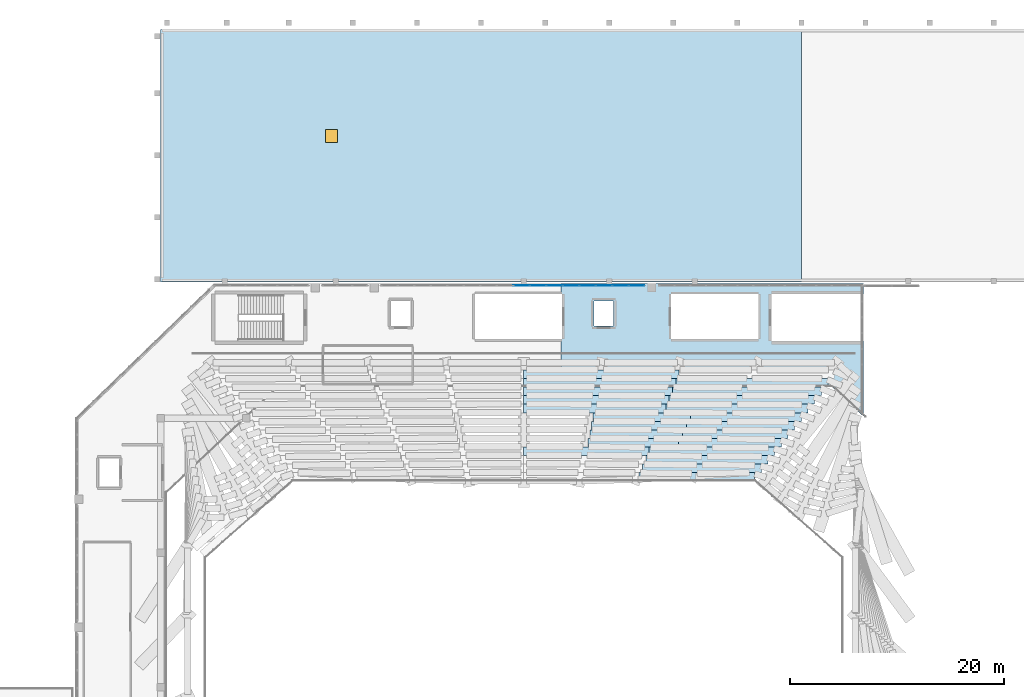
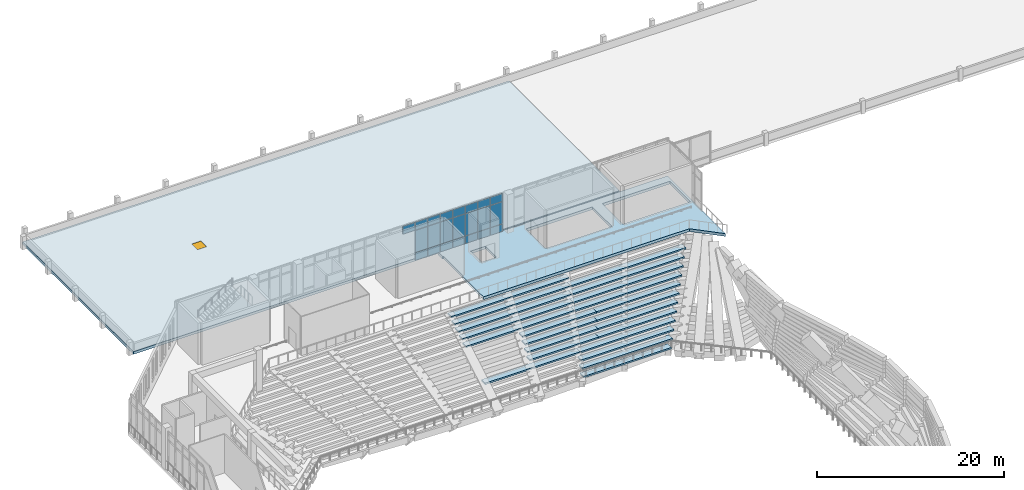
# One storey, part 39 of 55: 24 slabs, 22 plates, 1 door, 1 opening, 1 element without a shape of its own.
"""IFC4 building model written with IfcOpenShell, lengths in metres."""

from ifc_helpers import new_model, si_unit, derived_unit, direction, frame, origin, origin_2d, place, context, subcontext, project, spatial, polyline, rectangle, outline, extrude, material, layer, layer_set, type_object, element, fill, aggregate, save


model = new_model("IFC4")

# Units and contexts
model_context = context("Model", 3, precision=1e-05, world=origin(), true_north=direction((0.0, 1.0)))
body_context = subcontext(model_context, "Body", "Model", "MODEL_VIEW")
ifc_project = project(units=[si_unit("LENGTHUNIT", "METRE"), si_unit("AREAUNIT", "SQUARE_METRE"), si_unit("VOLUMEUNIT", "CUBIC_METRE"), si_unit("PLANEANGLEUNIT", "RADIAN"), si_unit("MASSUNIT", "GRAM", prefix="KILO"), derived_unit("THERMALTRANSMITTANCEUNIT", [(si_unit("MASSUNIT", "GRAM", prefix="KILO"), 1), (si_unit("TIMEUNIT", "SECOND"), -3), (si_unit("THERMODYNAMICTEMPERATUREUNIT", "KELVIN"), -1)])], contexts=[model_context])

# Site, building, storey
site_placement = place(None, origin())
site = spatial("IfcSite", under=ifc_project, at=site_placement, CompositionType="ELEMENT")
building_placement = place(site_placement, origin())
building = spatial("IfcBuilding", under=site, at=building_placement, Name="Valcora Ridge Arena", CompositionType="ELEMENT")
storey_placement = place(building_placement, frame((0.0, 0.0, 21.0)))
storey = spatial("IfcBuildingStorey", under=building, at=storey_placement, Name="L04", CompositionType="ELEMENT", Elevation=21.0)

# Curtain wall, plates
ifc_material_1 = material(Name="Anodised dark bronze architectural aluminium 6063-T6", Category="aluminium")
ifc_layer_1 = layer(ifc_material_1, 0.179931640625, Name="Anodised dark bronze architectural aluminium 6063-T6")
ifc_layer_set_1 = layer_set([ifc_layer_1], Name="Anodised dark bronze architectural aluminium 6063-T6")
curtain_wall_type = type_object("IfcCurtainWallType", Name="TY-CURTAINWALL-CW-V1-GOTH-247X51", PredefinedType="NOTDEFINED", material=ifc_layer_set_1)
curtain_wall_placement = place(storey_placement, origin())
curtain_wall = element("IfcCurtainWall", 1, at=curtain_wall_placement, inside=storey, type_object=curtain_wall_type, Name="CW-V1-GOTH-247X51 CW-0159", PredefinedType="NOTDEFINED")
ifc_material_2 = material(Name="Low-iron solar-control double glazing SHGC 0.28", Category="glass")
ifc_layer_2 = layer(ifc_material_2, 0.031982421875, Name="Low-iron solar-control double glazing SHGC 0.28")
ifc_layer_set_2 = layer_set([ifc_layer_2], Name="Low-iron solar-control double glazing SHGC 0.28")
plate_type_1 = type_object("IfcPlateType", Name="TY-PLT-CWP-1455X0960", PredefinedType="CURTAIN_PANEL", material=ifc_layer_set_2)
plate_1_placement = place(storey_placement, frame((68.572509765625, 108.0, 0.06005859375), z_axis=(0.0, 0.0, 1.0), x_axis=(1.0, 0.0, 0.0)))
plate_1 = element("IfcPlate", 2, at=plate_1_placement, type_object=plate_type_1, Name="CW-0159/P15-00", PredefinedType="CURTAIN_PANEL", context=body_context, shape_type="SweptSolid", body=[
    extrude(rectangle(XDim=1.455078125, YDim=0.031982421875, at=origin_2d()), origin(), (0.0, 0.0, 1.0), 0.9599609375),
])
ifc_layer_3 = layer(ifc_material_2, 0.031982421875, Name="Low-iron solar-control double glazing SHGC 0.28")
ifc_layer_set_3 = layer_set([ifc_layer_3], Name="Low-iron solar-control double glazing SHGC 0.28")
plate_type_2 = type_object("IfcPlateType", Name="TY-PLT-CWP-1455X1010", PredefinedType="CURTAIN_PANEL", material=ifc_layer_set_3)
plate_2_placement = place(storey_placement, frame((68.572509765625, 108.0, 3.990234375), z_axis=(0.0, 0.0, 1.0), x_axis=(1.0, 0.0, 0.0)))
plate_2 = element("IfcPlate", 3, at=plate_2_placement, type_object=plate_type_2, Name="CW-0159/P15-02", PredefinedType="CURTAIN_PANEL", context=body_context, shape_type="SweptSolid", body=[
    extrude(rectangle(XDim=1.455078125, YDim=0.031982421875, at=origin_2d()), origin(), (0.0, 0.0, 1.0), 1.010009765625),
])
ifc_layer_4 = layer(ifc_material_2, 0.031982421875, Name="Low-iron solar-control double glazing SHGC 0.28")
ifc_layer_set_4 = layer_set([ifc_layer_4], Name="Low-iron solar-control double glazing SHGC 0.28")
plate_type_3 = type_object("IfcPlateType", Name="TY-PLT-CWP-1455X2850", PredefinedType="CURTAIN_PANEL", material=ifc_layer_set_4)
plate_3_placement = place(storey_placement, frame((68.572509765625, 108.0, 1.079833984375), z_axis=(0.0, 0.0, 1.0), x_axis=(1.0, 0.0, 0.0)))
plate_3 = element("IfcPlate", 4, at=plate_3_placement, type_object=plate_type_3, Name="CW-0159/P15-01", PredefinedType="CURTAIN_PANEL", context=body_context, shape_type="SweptSolid", body=[
    extrude(rectangle(XDim=1.455078125, YDim=0.031982421875, at=origin_2d()), origin(), (0.0, 0.0, 1.0), 2.85009765625),
])
ifc_layer_5 = layer(ifc_material_2, 0.031982421875, Name="Low-iron solar-control double glazing SHGC 0.28")
ifc_layer_set_5 = layer_set([ifc_layer_5], Name="Low-iron solar-control double glazing SHGC 0.28")
plate_type_4 = type_object("IfcPlateType", Name="TY-PLT-CWP-1485X0960", PredefinedType="CURTAIN_PANEL", material=ifc_layer_set_5)
plate_4_placement = place(storey_placement, frame((59.3173828125, 108.0, 0.06005859375), z_axis=(0.0, 0.0, 1.0), x_axis=(1.0, 0.0, 0.0)))
plate_4 = element("IfcPlate", 5, at=plate_4_placement, type_object=plate_type_4, Name="CW-0159/P09-00", PredefinedType="CURTAIN_PANEL", context=body_context, shape_type="SweptSolid", body=[
    extrude(rectangle(XDim=1.485107421875, YDim=0.031982421875, at=origin_2d()), origin(), (0.0, 0.0, 1.0), 0.9599609375),
])
plate_5_placement = place(storey_placement, frame((60.862548828125, 108.0, 0.06005859375), z_axis=(0.0, 0.0, 1.0), x_axis=(1.0, 0.0, 0.0)))
plate_5 = element("IfcPlate", 6, at=plate_5_placement, type_object=plate_type_4, Name="CW-0159/P10-00", PredefinedType="CURTAIN_PANEL", context=body_context, shape_type="SweptSolid", body=[
    extrude(rectangle(XDim=1.485107421875, YDim=0.031982421875, at=origin_2d()), origin(), (0.0, 0.0, 1.0), 0.9599609375),
])
plate_6_placement = place(storey_placement, frame((62.407470703125, 108.0, 0.06005859375), z_axis=(0.0, 0.0, 1.0), x_axis=(1.0, 0.0, 0.0)))
plate_6 = element("IfcPlate", 7, at=plate_6_placement, type_object=plate_type_4, Name="CW-0159/P11-00", PredefinedType="CURTAIN_PANEL", context=body_context, shape_type="SweptSolid", body=[
    extrude(rectangle(XDim=1.485107421875, YDim=0.031982421875, at=origin_2d()), origin(), (0.0, 0.0, 1.0), 0.9599609375),
])
plate_7_placement = place(storey_placement, frame((63.952392578125, 108.0, 0.06005859375), z_axis=(0.0, 0.0, 1.0), x_axis=(1.0, 0.0, 0.0)))
plate_7 = element("IfcPlate", 8, at=plate_7_placement, type_object=plate_type_4, Name="CW-0159/P12-00", PredefinedType="CURTAIN_PANEL", context=body_context, shape_type="SweptSolid", body=[
    extrude(rectangle(XDim=1.485107421875, YDim=0.031982421875, at=origin_2d()), origin(), (0.0, 0.0, 1.0), 0.9599609375),
])
plate_8_placement = place(storey_placement, frame((65.49755859375, 108.0, 0.06005859375), z_axis=(0.0, 0.0, 1.0), x_axis=(1.0, 0.0, 0.0)))
plate_8 = element("IfcPlate", 9, at=plate_8_placement, type_object=plate_type_4, Name="CW-0159/P13-00", PredefinedType="CURTAIN_PANEL", context=body_context, shape_type="SweptSolid", body=[
    extrude(rectangle(XDim=1.485107421875, YDim=0.031982421875, at=origin_2d()), origin(), (0.0, 0.0, 1.0), 0.9599609375),
])
plate_9_placement = place(storey_placement, frame((67.04248046875, 108.0, 0.06005859375), z_axis=(0.0, 0.0, 1.0), x_axis=(1.0, 0.0, 0.0)))
plate_9 = element("IfcPlate", 10, at=plate_9_placement, type_object=plate_type_4, Name="CW-0159/P14-00", PredefinedType="CURTAIN_PANEL", context=body_context, shape_type="SweptSolid", body=[
    extrude(rectangle(XDim=1.485107421875, YDim=0.031982421875, at=origin_2d()), origin(), (0.0, 0.0, 1.0), 0.9599609375),
])
ifc_layer_6 = layer(ifc_material_2, 0.031982421875, Name="Low-iron solar-control double glazing SHGC 0.28")
ifc_layer_set_6 = layer_set([ifc_layer_6], Name="Low-iron solar-control double glazing SHGC 0.28")
plate_type_5 = type_object("IfcPlateType", Name="TY-PLT-CWP-1485X1010", PredefinedType="CURTAIN_PANEL", material=ifc_layer_set_6)
plate_10_placement = place(storey_placement, frame((57.7724609375, 108.0, 3.990234375), z_axis=(0.0, 0.0, 1.0), x_axis=(1.0, 0.0, 0.0)))
plate_10 = element("IfcPlate", 11, at=plate_10_placement, type_object=plate_type_5, Name="CW-0159/P08-02", PredefinedType="CURTAIN_PANEL", context=body_context, shape_type="SweptSolid", body=[
    extrude(rectangle(XDim=1.485107421875, YDim=0.031982421875, at=origin_2d()), origin(), (0.0, 0.0, 1.0), 1.010009765625),
])
plate_11_placement = place(storey_placement, frame((59.3173828125, 108.0, 3.990234375), z_axis=(0.0, 0.0, 1.0), x_axis=(1.0, 0.0, 0.0)))
plate_11 = element("IfcPlate", 12, at=plate_11_placement, type_object=plate_type_5, Name="CW-0159/P09-02", PredefinedType="CURTAIN_PANEL", context=body_context, shape_type="SweptSolid", body=[
    extrude(rectangle(XDim=1.485107421875, YDim=0.031982421875, at=origin_2d()), origin(), (0.0, 0.0, 1.0), 1.010009765625),
])
plate_12_placement = place(storey_placement, frame((60.862548828125, 108.0, 3.990234375), z_axis=(0.0, 0.0, 1.0), x_axis=(1.0, 0.0, 0.0)))
plate_12 = element("IfcPlate", 13, at=plate_12_placement, type_object=plate_type_5, Name="CW-0159/P10-02", PredefinedType="CURTAIN_PANEL", context=body_context, shape_type="SweptSolid", body=[
    extrude(rectangle(XDim=1.485107421875, YDim=0.031982421875, at=origin_2d()), origin(), (0.0, 0.0, 1.0), 1.010009765625),
])
plate_13_placement = place(storey_placement, frame((62.407470703125, 108.0, 3.990234375), z_axis=(0.0, 0.0, 1.0), x_axis=(1.0, 0.0, 0.0)))
plate_13 = element("IfcPlate", 14, at=plate_13_placement, type_object=plate_type_5, Name="CW-0159/P11-02", PredefinedType="CURTAIN_PANEL", context=body_context, shape_type="SweptSolid", body=[
    extrude(rectangle(XDim=1.485107421875, YDim=0.031982421875, at=origin_2d()), origin(), (0.0, 0.0, 1.0), 1.010009765625),
])
plate_14_placement = place(storey_placement, frame((63.952392578125, 108.0, 3.990234375), z_axis=(0.0, 0.0, 1.0), x_axis=(1.0, 0.0, 0.0)))
plate_14 = element("IfcPlate", 15, at=plate_14_placement, type_object=plate_type_5, Name="CW-0159/P12-02", PredefinedType="CURTAIN_PANEL", context=body_context, shape_type="SweptSolid", body=[
    extrude(rectangle(XDim=1.485107421875, YDim=0.031982421875, at=origin_2d()), origin(), (0.0, 0.0, 1.0), 1.010009765625),
])
plate_15_placement = place(storey_placement, frame((65.49755859375, 108.0, 3.990234375), z_axis=(0.0, 0.0, 1.0), x_axis=(1.0, 0.0, 0.0)))
plate_15 = element("IfcPlate", 16, at=plate_15_placement, type_object=plate_type_5, Name="CW-0159/P13-02", PredefinedType="CURTAIN_PANEL", context=body_context, shape_type="SweptSolid", body=[
    extrude(rectangle(XDim=1.485107421875, YDim=0.031982421875, at=origin_2d()), origin(), (0.0, 0.0, 1.0), 1.010009765625),
])
plate_16_placement = place(storey_placement, frame((67.04248046875, 108.0, 3.990234375), z_axis=(0.0, 0.0, 1.0), x_axis=(1.0, 0.0, 0.0)))
plate_16 = element("IfcPlate", 17, at=plate_16_placement, type_object=plate_type_5, Name="CW-0159/P14-02", PredefinedType="CURTAIN_PANEL", context=body_context, shape_type="SweptSolid", body=[
    extrude(rectangle(XDim=1.485107421875, YDim=0.031982421875, at=origin_2d()), origin(), (0.0, 0.0, 1.0), 1.010009765625),
])
ifc_layer_7 = layer(ifc_material_2, 0.031982421875, Name="Low-iron solar-control double glazing SHGC 0.28")
ifc_layer_set_7 = layer_set([ifc_layer_7], Name="Low-iron solar-control double glazing SHGC 0.28")
plate_type_6 = type_object("IfcPlateType", Name="TY-PLT-CWP-1485X2850", PredefinedType="CURTAIN_PANEL", material=ifc_layer_set_7)
plate_17_placement = place(storey_placement, frame((59.3173828125, 108.0, 1.079833984375), z_axis=(0.0, 0.0, 1.0), x_axis=(1.0, 0.0, 0.0)))
plate_17 = element("IfcPlate", 18, at=plate_17_placement, type_object=plate_type_6, Name="CW-0159/P09-01", PredefinedType="CURTAIN_PANEL", context=body_context, shape_type="SweptSolid", body=[
    extrude(rectangle(XDim=1.485107421875, YDim=0.031982421875, at=origin_2d()), origin(), (0.0, 0.0, 1.0), 2.85009765625),
])
plate_18_placement = place(storey_placement, frame((60.862548828125, 108.0, 1.079833984375), z_axis=(0.0, 0.0, 1.0), x_axis=(1.0, 0.0, 0.0)))
plate_18 = element("IfcPlate", 19, at=plate_18_placement, type_object=plate_type_6, Name="CW-0159/P10-01", PredefinedType="CURTAIN_PANEL", context=body_context, shape_type="SweptSolid", body=[
    extrude(rectangle(XDim=1.485107421875, YDim=0.031982421875, at=origin_2d()), origin(), (0.0, 0.0, 1.0), 2.85009765625),
])
plate_19_placement = place(storey_placement, frame((62.407470703125, 108.0, 1.079833984375), z_axis=(0.0, 0.0, 1.0), x_axis=(1.0, 0.0, 0.0)))
plate_19 = element("IfcPlate", 20, at=plate_19_placement, type_object=plate_type_6, Name="CW-0159/P11-01", PredefinedType="CURTAIN_PANEL", context=body_context, shape_type="SweptSolid", body=[
    extrude(rectangle(XDim=1.485107421875, YDim=0.031982421875, at=origin_2d()), origin(), (0.0, 0.0, 1.0), 2.85009765625),
])
plate_20_placement = place(storey_placement, frame((63.952392578125, 108.0, 1.079833984375), z_axis=(0.0, 0.0, 1.0), x_axis=(1.0, 0.0, 0.0)))
plate_20 = element("IfcPlate", 21, at=plate_20_placement, type_object=plate_type_6, Name="CW-0159/P12-01", PredefinedType="CURTAIN_PANEL", context=body_context, shape_type="SweptSolid", body=[
    extrude(rectangle(XDim=1.485107421875, YDim=0.031982421875, at=origin_2d()), origin(), (0.0, 0.0, 1.0), 2.85009765625),
])
plate_21_placement = place(storey_placement, frame((65.49755859375, 108.0, 1.079833984375), z_axis=(0.0, 0.0, 1.0), x_axis=(1.0, 0.0, 0.0)))
plate_21 = element("IfcPlate", 22, at=plate_21_placement, type_object=plate_type_6, Name="CW-0159/P13-01", PredefinedType="CURTAIN_PANEL", context=body_context, shape_type="SweptSolid", body=[
    extrude(rectangle(XDim=1.485107421875, YDim=0.031982421875, at=origin_2d()), origin(), (0.0, 0.0, 1.0), 2.85009765625),
])
plate_22_placement = place(storey_placement, frame((67.04248046875, 108.0, 1.079833984375), z_axis=(0.0, 0.0, 1.0), x_axis=(1.0, 0.0, 0.0)))
plate_22 = element("IfcPlate", 23, at=plate_22_placement, type_object=plate_type_6, Name="CW-0159/P14-01", PredefinedType="CURTAIN_PANEL", context=body_context, shape_type="SweptSolid", body=[
    extrude(rectangle(XDim=1.485107421875, YDim=0.031982421875, at=origin_2d()), origin(), (0.0, 0.0, 1.0), 2.85009765625),
])
aggregate(curtain_wall, [plate_10, plate_4, plate_17, plate_11, plate_5, plate_18, plate_12, plate_6, plate_19, plate_13, plate_7, plate_20, plate_14, plate_8, plate_21, plate_15, plate_9, plate_22, plate_16, plate_1, plate_3, plate_2])

# Slab, opening, door
ifc_material_3 = material(Name="Concrete C40/50", Category="concrete")
ifc_layer_8 = layer(ifc_material_3, 0.340087890625, Name="Concrete C40/50")
ifc_layer_set_8 = layer_set([ifc_layer_8], Name="Concrete C40/50")
slab_type_1 = type_object("IfcSlabType", Name="TY-SLAB-RF-V5-340-W", PredefinedType="ROOF", material=ifc_layer_set_8)
slab_1_placement = place(storey_placement, frame((0.0, 0.0, -0.340087890625)))
slab_1 = element("IfcSlab", 24, at=slab_1_placement, inside=storey, type_object=slab_type_1, Name="RF-V5-340-W SLB-0095", PredefinedType="ROOF", context=body_context, shape_type="SweptSolid", body=[
    extrude(outline(polyline([(24.0, 108.35009765625), (84.0, 108.35009765625), (84.0, 132.0), (24.0, 132.0), (24.0, 108.35009765625)]), holes=[polyline([(40.544921875, 122.594970703125), (39.455078125, 122.594970703125), (39.455078125, 121.405029296875), (40.544921875, 121.405029296875), (40.544921875, 122.594970703125)])]), origin(), (0.0, 0.0, 1.0), 0.340087890625),
])
opening_placement = place(slab_1_placement, frame((40.0, 122.0, 0.0)))
opening = element("IfcOpeningElement", 25, at=opening_placement, cuts=slab_1, Name="Opening HT-ROOF-110", PredefinedType="OPENING", context=body_context, shape_type="SweptSolid", body=[
    extrude(rectangle(XDim=1.10009765625, YDim=1.199951171875, at=origin_2d()), frame((0.0, 0.0, -0.010009765625)), (0.0, 0.0, 1.0), 0.360107421875),
])
ifc_material_4 = material(Name="Acoustic insulated galvanized steel roller shutter", Category="steel")
door_type = type_object("IfcDoorType", Name="TY-DOOR-HT-ROOF-110", OperationType="NOTDEFINED", PredefinedType="TRAPDOOR", material=ifc_material_4)
door_placement = place(opening_placement, frame((0.0, 0.0, 0.300048828125)))
door = element("IfcDoor", 26, at=door_placement, inside=storey, type_object=door_type, Name="HT-ROOF-110 DOR-HT-0006", OperationType="SWING_FIXED_LEFT", OverallHeight=1.199951171875, OverallWidth=1.10009765625, PredefinedType="TRAPDOOR", context=body_context, shape_type="SweptSolid", body=[
    extrude(rectangle(XDim=1.10009765625, YDim=1.199951171875, at=origin_2d()), origin(), (0.0, 0.0, 1.0), 0.0400390625),
])
fill(opening, door)

# Slabs
ifc_layer_9 = layer(ifc_material_3, 0.360107421875, Name="Concrete C40/50")
ifc_layer_set_9 = layer_set([ifc_layer_9], Name="Concrete C40/50")
slab_type_2 = type_object("IfcSlabType", Name="TY-SLAB-SL-UPPR-360-NE", PredefinedType="FLOOR", material=ifc_layer_set_9)
slab_2_placement = place(storey_placement, frame((0.0, 0.0, -0.360107421875)))
element("IfcSlab", 27, at=slab_2_placement, inside=storey, type_object=slab_type_2, Name="SL-UPPR-360-NE SLB-0048", PredefinedType="FLOOR", context=body_context, shape_type="SweptSolid", body=[
    extrude(outline(polyline([(89.800048828125, 108.199951171875), (61.5, 108.199951171875), (61.5, 107.199951171875), (61.60009765625, 107.199951171875), (61.60009765625, 103.0), (61.5, 103.0), (61.5, 98.5), (86.89990234375, 98.5), (89.800048828125, 95.765625), (89.800048828125, 108.199951171875)]), holes=[polyline([(81.199951171875, 102.800048828125), (89.52001953125, 102.800048828125), (89.52001953125, 107.199951171875), (81.199951171875, 107.199951171875), (81.199951171875, 102.800048828125)]), polyline([(71.800048828125, 103.0), (79.9599609375, 103.0), (79.9599609375, 107.199951171875), (71.800048828125, 107.199951171875), (71.800048828125, 103.0)]), polyline([(64.580078125, 106.570068359375), (64.580078125, 104.22998046875), (66.419921875, 104.22998046875), (66.419921875, 106.570068359375), (64.580078125, 106.570068359375)])]), origin(), (0.0, 0.0, 1.0), 0.360107421875),
])
ifc_material_5 = material(Name="Precast concrete C45/55", Category="concrete")
ifc_layer_10 = layer(ifc_material_5, 0.199951171875, Name="Precast concrete C45/55")
ifc_layer_set_10 = layer_set([ifc_layer_10], Name="Precast concrete C45/55")
slab_type_3 = type_object("IfcSlabType", Name="TY-SLAB-ST-UPP-L084", PredefinedType="USERDEFINED", material=ifc_layer_set_10)
slab_3_placement = place(storey_placement, frame((0.0, 0.0, -5.8798828125)))
element("IfcSlab", 28, at=slab_3_placement, inside=storey, type_object=slab_type_3, Name="ST-UPP-L084 SLB-TR-0526", ObjectType="SEATING TIER", PredefinedType="USERDEFINED", context=body_context, shape_type="SweptSolid", body=[
    extrude(outline(polyline([(72.471923828125, 92.89990234375), (64.030029296875, 92.89990234375), (64.030029296875, 93.699951171875), (72.471923828125, 93.699951171875), (72.471923828125, 92.89990234375)])), origin(), (0.0, 0.0, 1.0), 0.199951171875),
])
ifc_layer_11 = layer(ifc_material_5, 0.199951171875, Name="Precast concrete C45/55")
ifc_layer_set_11 = layer_set([ifc_layer_11], Name="Precast concrete C45/55")
slab_type_4 = type_object("IfcSlabType", Name="TY-SLAB-ST-UPP-L087", PredefinedType="USERDEFINED", material=ifc_layer_set_11)
slab_4_placement = place(storey_placement, frame((0.0, 0.0, -5.39990234375)))
element("IfcSlab", 29, at=slab_4_placement, inside=storey, type_object=slab_type_4, Name="ST-UPP-L087 SLB-TR-0534", ObjectType="SEATING TIER", PredefinedType="USERDEFINED", context=body_context, shape_type="SweptSolid", body=[
    extrude(outline(polyline([(72.846435546875, 93.699951171875), (64.18603515625, 93.699951171875), (64.18603515625, 94.5), (72.846435546875, 94.5), (72.846435546875, 93.699951171875)])), origin(), (0.0, 0.0, 1.0), 0.199951171875),
])
ifc_layer_12 = layer(ifc_material_5, 0.199951171875, Name="Precast concrete C45/55")
ifc_layer_set_12 = layer_set([ifc_layer_12], Name="Precast concrete C45/55")
slab_type_5 = type_object("IfcSlabType", Name="TY-SLAB-ST-UPP-L089", PredefinedType="USERDEFINED", material=ifc_layer_set_12)
slab_5_placement = place(storey_placement, frame((0.0, 0.0, -4.919921875)))
element("IfcSlab", 30, at=slab_5_placement, inside=storey, type_object=slab_type_5, Name="ST-UPP-L089 SLB-TR-0542", ObjectType="SEATING TIER", PredefinedType="USERDEFINED", context=body_context, shape_type="SweptSolid", body=[
    extrude(outline(polyline([(73.220703125, 94.5), (64.342041015625, 94.5), (64.342041015625, 95.300048828125), (73.220703125, 95.300048828125), (73.220703125, 94.5)])), origin(), (0.0, 0.0, 1.0), 0.199951171875),
])
ifc_layer_13 = layer(ifc_material_5, 0.199951171875, Name="Precast concrete C45/55")
ifc_layer_set_13 = layer_set([ifc_layer_13], Name="Precast concrete C45/55")
slab_type_6 = type_object("IfcSlabType", Name="TY-SLAB-ST-UPP-L091", PredefinedType="USERDEFINED", material=ifc_layer_set_13)
slab_6_placement = place(storey_placement, frame((0.0, 0.0, -4.43994140625)))
element("IfcSlab", 31, at=slab_6_placement, inside=storey, type_object=slab_type_6, Name="ST-UPP-L091 SLB-TR-0550", ObjectType="SEATING TIER", PredefinedType="USERDEFINED", context=body_context, shape_type="SweptSolid", body=[
    extrude(outline(polyline([(73.59521484375, 95.300048828125), (64.498046875, 95.300048828125), (64.498046875, 96.10009765625), (73.59521484375, 96.10009765625), (73.59521484375, 95.300048828125)])), origin(), (0.0, 0.0, 1.0), 0.199951171875),
])
ifc_layer_14 = layer(ifc_material_5, 0.199951171875, Name="Precast concrete C45/55")
ifc_layer_set_14 = layer_set([ifc_layer_14], Name="Precast concrete C45/55")
slab_type_7 = type_object("IfcSlabType", Name="TY-SLAB-ST-UPP-L096", PredefinedType="USERDEFINED", material=ifc_layer_set_14)
slab_7_placement = place(storey_placement, frame((0.0, 0.0, -5.8798828125)))
element("IfcSlab", 32, at=slab_7_placement, inside=storey, type_object=slab_type_7, Name="ST-UPP-L096 SLB-TR-0525", ObjectType="SEATING TIER", PredefinedType="USERDEFINED", context=body_context, shape_type="SweptSolid", body=[
    extrude(outline(polyline([(82.1201171875, 92.89990234375), (72.471923828125, 92.89990234375), (72.471923828125, 93.699951171875), (82.1201171875, 93.699951171875), (82.1201171875, 92.89990234375)])), origin(), (0.0, 0.0, 1.0), 0.199951171875),
])
ifc_layer_15 = layer(ifc_material_5, 0.199951171875, Name="Precast concrete C45/55")
ifc_layer_set_15 = layer_set([ifc_layer_15], Name="Precast concrete C45/55")
slab_type_8 = type_object("IfcSlabType", Name="TY-SLAB-ST-UPP-L099", PredefinedType="USERDEFINED", material=ifc_layer_set_15)
slab_8_placement = place(storey_placement, frame((0.0, 0.0, -5.39990234375)))
element("IfcSlab", 33, at=slab_8_placement, inside=storey, type_object=slab_type_8, Name="ST-UPP-L099 SLB-TR-0533", ObjectType="SEATING TIER", PredefinedType="USERDEFINED", context=body_context, shape_type="SweptSolid", body=[
    extrude(outline(polyline([(82.743896484375, 93.699951171875), (72.846435546875, 93.699951171875), (72.846435546875, 94.5), (82.743896484375, 94.5), (82.743896484375, 93.699951171875)])), origin(), (0.0, 0.0, 1.0), 0.199951171875),
])
ifc_layer_16 = layer(ifc_material_5, 0.199951171875, Name="Precast concrete C45/55")
ifc_layer_set_16 = layer_set([ifc_layer_16], Name="Precast concrete C45/55")
slab_type_9 = type_object("IfcSlabType", Name="TY-SLAB-ST-UPP-L101", PredefinedType="USERDEFINED", material=ifc_layer_set_16)
slab_9_placement = place(storey_placement, frame((0.0, 0.0, -4.919921875)))
element("IfcSlab", 34, at=slab_9_placement, inside=storey, type_object=slab_type_9, Name="ST-UPP-L101 SLB-TR-0541", ObjectType="SEATING TIER", PredefinedType="USERDEFINED", context=body_context, shape_type="SweptSolid", body=[
    extrude(outline(polyline([(83.367919921875, 94.5), (73.220703125, 94.5), (73.220703125, 95.300048828125), (83.367919921875, 95.300048828125), (83.367919921875, 94.5)])), origin(), (0.0, 0.0, 1.0), 0.199951171875),
])
ifc_layer_17 = layer(ifc_material_5, 0.199951171875, Name="Precast concrete C45/55")
ifc_layer_set_17 = layer_set([ifc_layer_17], Name="Precast concrete C45/55")
slab_type_10 = type_object("IfcSlabType", Name="TY-SLAB-ST-UPP-L104", PredefinedType="USERDEFINED", material=ifc_layer_set_17)
slab_10_placement = place(storey_placement, frame((0.0, 0.0, -4.43994140625)))
element("IfcSlab", 35, at=slab_10_placement, inside=storey, type_object=slab_type_10, Name="ST-UPP-L104 SLB-TR-0549", ObjectType="SEATING TIER", PredefinedType="USERDEFINED", context=body_context, shape_type="SweptSolid", body=[
    extrude(outline(polyline([(83.991943359375, 95.300048828125), (73.59521484375, 95.300048828125), (73.59521484375, 96.10009765625), (83.991943359375, 96.10009765625), (83.991943359375, 95.300048828125)])), origin(), (0.0, 0.0, 1.0), 0.199951171875),
])
ifc_layer_18 = layer(ifc_material_5, 0.199951171875, Name="Precast concrete C45/55")
ifc_layer_set_18 = layer_set([ifc_layer_18], Name="Precast concrete C45/55")
slab_type_11 = type_object("IfcSlabType", Name="TY-SLAB-ST-UPP-L108", PredefinedType="USERDEFINED", material=ifc_layer_set_18)
slab_11_placement = place(storey_placement, frame((0.0, 0.0, -7.800048828125)))
element("IfcSlab", 36, at=slab_11_placement, inside=storey, type_object=slab_type_11, Name="ST-UPP-L108 SLB-TR-0485", ObjectType="SEATING TIER", PredefinedType="USERDEFINED", context=body_context, shape_type="SweptSolid", body=[
    extrude(outline(polyline([(79.6240234375, 89.699951171875), (68.81201171875, 89.699951171875), (68.81201171875, 90.5), (79.6240234375, 90.5), (79.6240234375, 89.699951171875)])), origin(), (0.0, 0.0, 1.0), 0.199951171875),
])
ifc_layer_19 = layer(ifc_material_5, 0.199951171875, Name="Precast concrete C45/55")
ifc_layer_set_19 = layer_set([ifc_layer_19], Name="Precast concrete C45/55")
slab_type_12 = type_object("IfcSlabType", Name="TY-SLAB-ST-UPP-L111", PredefinedType="USERDEFINED", material=ifc_layer_set_19)
slab_12_placement = place(storey_placement, frame((0.0, 0.0, -7.320068359375)))
element("IfcSlab", 37, at=slab_12_placement, inside=storey, type_object=slab_type_12, Name="ST-UPP-L111 SLB-TR-0497", ObjectType="SEATING TIER", PredefinedType="USERDEFINED", context=body_context, shape_type="SweptSolid", body=[
    extrude(outline(polyline([(80.248046875, 90.5), (69.1240234375, 90.5), (69.1240234375, 91.300048828125), (80.248046875, 91.300048828125), (80.248046875, 90.5)])), origin(), (0.0, 0.0, 1.0), 0.199951171875),
])
ifc_layer_20 = layer(ifc_material_5, 0.199951171875, Name="Precast concrete C45/55")
ifc_layer_set_20 = layer_set([ifc_layer_20], Name="Precast concrete C45/55")
slab_type_13 = type_object("IfcSlabType", Name="TY-SLAB-ST-UPP-L114", PredefinedType="USERDEFINED", material=ifc_layer_set_20)
slab_13_placement = place(storey_placement, frame((0.0, 0.0, -6.840087890625)))
element("IfcSlab", 38, at=slab_13_placement, inside=storey, type_object=slab_type_13, Name="ST-UPP-L114 SLB-TR-0509", ObjectType="SEATING TIER", PredefinedType="USERDEFINED", context=body_context, shape_type="SweptSolid", body=[
    extrude(outline(polyline([(80.8720703125, 91.300048828125), (69.43603515625, 91.300048828125), (69.43603515625, 92.10009765625), (80.8720703125, 92.10009765625), (80.8720703125, 91.300048828125)])), origin(), (0.0, 0.0, 1.0), 0.2001953125),
])
ifc_layer_21 = layer(ifc_material_5, 0.199951171875, Name="Precast concrete C45/55")
ifc_layer_set_21 = layer_set([ifc_layer_21], Name="Precast concrete C45/55")
slab_type_14 = type_object("IfcSlabType", Name="TY-SLAB-ST-UPP-L117", PredefinedType="USERDEFINED", material=ifc_layer_set_21)
slab_14_placement = place(storey_placement, frame((0.0, 0.0, -6.360107421875)))
element("IfcSlab", 39, at=slab_14_placement, inside=storey, type_object=slab_type_14, Name="ST-UPP-L117 SLB-TR-0517", ObjectType="SEATING TIER", PredefinedType="USERDEFINED", context=body_context, shape_type="SweptSolid", body=[
    extrude(outline(polyline([(81.49609375, 92.10009765625), (69.748046875, 92.10009765625), (69.748046875, 92.89990234375), (81.49609375, 92.89990234375), (81.49609375, 92.10009765625)])), origin(), (0.0, 0.0, 1.0), 0.2001953125),
])
slab_15_placement = place(storey_placement, frame((0.0, 0.0, -6.360107421875)))
element("IfcSlab", 40, at=slab_15_placement, inside=storey, type_object=slab_type_14, Name="ST-UPP-L117 SLB-TR-0518", ObjectType="SEATING TIER", PredefinedType="USERDEFINED", context=body_context, shape_type="SweptSolid", body=[
    extrude(outline(polyline([(69.748046875, 92.10009765625), (58.0, 92.10009765625), (58.0, 92.89990234375), (69.748046875, 92.89990234375), (69.748046875, 92.10009765625)])), origin(), (0.0, 0.0, 1.0), 0.2001953125),
])
ifc_layer_22 = layer(ifc_material_5, 0.199951171875, Name="Precast concrete C45/55")
ifc_layer_set_22 = layer_set([ifc_layer_22], Name="Precast concrete C45/55")
slab_type_15 = type_object("IfcSlabType", Name="TY-SLAB-ST-UPP-L133", PredefinedType="USERDEFINED", material=ifc_layer_set_22)
slab_16_placement = place(storey_placement, frame((0.0, 0.0, -3.9599609375)))
element("IfcSlab", 41, at=slab_16_placement, inside=storey, type_object=slab_type_15, Name="ST-UPP-L133 SLB-TR-0557", ObjectType="SEATING TIER", PredefinedType="USERDEFINED", context=body_context, shape_type="SweptSolid", body=[
    extrude(outline(polyline([(84.615966796875, 96.10009765625), (71.30810546875, 96.10009765625), (71.30810546875, 96.89990234375), (84.615966796875, 96.89990234375), (84.615966796875, 96.10009765625)])), origin(), (0.0, 0.0, 1.0), 0.199951171875),
])
slab_17_placement = place(storey_placement, frame((0.0, 0.0, -3.9599609375)))
element("IfcSlab", 42, at=slab_17_placement, inside=storey, type_object=slab_type_15, Name="ST-UPP-L133 SLB-TR-0558", ObjectType="SEATING TIER", PredefinedType="USERDEFINED", context=body_context, shape_type="SweptSolid", body=[
    extrude(outline(polyline([(71.30810546875, 96.10009765625), (58.0, 96.10009765625), (58.0, 96.89990234375), (71.30810546875, 96.89990234375), (71.30810546875, 96.10009765625)])), origin(), (0.0, 0.0, 1.0), 0.199951171875),
])
ifc_layer_23 = layer(ifc_material_5, 0.199951171875, Name="Precast concrete C45/55")
ifc_layer_set_23 = layer_set([ifc_layer_23], Name="Precast concrete C45/55")
slab_type_16 = type_object("IfcSlabType", Name="TY-SLAB-ST-UPP-L136", PredefinedType="USERDEFINED", material=ifc_layer_set_23)
slab_18_placement = place(storey_placement, frame((0.0, 0.0, -3.47998046875)))
element("IfcSlab", 43, at=slab_18_placement, inside=storey, type_object=slab_type_16, Name="ST-UPP-L136 SLB-TR-0565", ObjectType="SEATING TIER", PredefinedType="USERDEFINED", context=body_context, shape_type="SweptSolid", body=[
    extrude(outline(polyline([(85.239990234375, 96.89990234375), (71.6201171875, 96.89990234375), (71.6201171875, 97.699951171875), (85.239990234375, 97.699951171875), (85.239990234375, 96.89990234375)])), origin(), (0.0, 0.0, 1.0), 0.199951171875),
])
slab_19_placement = place(storey_placement, frame((0.0, 0.0, -3.47998046875)))
element("IfcSlab", 44, at=slab_19_placement, inside=storey, type_object=slab_type_16, Name="ST-UPP-L136 SLB-TR-0566", ObjectType="SEATING TIER", PredefinedType="USERDEFINED", context=body_context, shape_type="SweptSolid", body=[
    extrude(outline(polyline([(71.6201171875, 96.89990234375), (58.0, 96.89990234375), (58.0, 97.699951171875), (71.6201171875, 97.699951171875), (71.6201171875, 96.89990234375)])), origin(), (0.0, 0.0, 1.0), 0.199951171875),
])
ifc_layer_24 = layer(ifc_material_5, 0.199951171875, Name="Precast concrete C45/55")
ifc_layer_set_24 = layer_set([ifc_layer_24], Name="Precast concrete C45/55")
slab_type_17 = type_object("IfcSlabType", Name="TY-SLAB-ST-UPP-L139", PredefinedType="USERDEFINED", material=ifc_layer_set_24)
slab_20_placement = place(storey_placement, frame((0.0, 0.0, -3.0)))
element("IfcSlab", 45, at=slab_20_placement, inside=storey, type_object=slab_type_17, Name="ST-UPP-L139 SLB-TR-0573", ObjectType="SEATING TIER", PredefinedType="USERDEFINED", context=body_context, shape_type="SweptSolid", body=[
    extrude(outline(polyline([(85.864013671875, 97.699951171875), (71.931884765625, 97.699951171875), (71.931884765625, 98.5), (85.864013671875, 98.5), (85.864013671875, 97.699951171875)])), origin(), (0.0, 0.0, 1.0), 0.199951171875),
])
slab_21_placement = place(storey_placement, frame((0.0, 0.0, -3.0)))
element("IfcSlab", 46, at=slab_21_placement, inside=storey, type_object=slab_type_17, Name="ST-UPP-L139 SLB-TR-0574", ObjectType="SEATING TIER", PredefinedType="USERDEFINED", context=body_context, shape_type="SweptSolid", body=[
    extrude(outline(polyline([(71.931884765625, 97.699951171875), (58.0, 97.699951171875), (58.0, 98.5), (71.931884765625, 98.5), (71.931884765625, 97.699951171875)])), origin(), (0.0, 0.0, 1.0), 0.199951171875),
])
ifc_layer_25 = layer(ifc_material_5, 0.199951171875, Name="Precast concrete C45/55")
ifc_layer_set_25 = layer_set([ifc_layer_25], Name="Precast concrete C45/55")
slab_type_18 = type_object("IfcSlabType", Name="TY-SLAB-ST-UPP-L142", PredefinedType="USERDEFINED", material=ifc_layer_set_25)
slab_22_placement = place(storey_placement, frame((0.0, 0.0, -2.52001953125)))
element("IfcSlab", 47, at=slab_22_placement, inside=storey, type_object=slab_type_18, Name="ST-UPP-L142 SLB-TR-0581", ObjectType="SEATING TIER", PredefinedType="USERDEFINED", context=body_context, shape_type="SweptSolid", body=[
    extrude(outline(polyline([(86.488037109375, 98.5), (72.243896484375, 98.5), (72.243896484375, 99.300048828125), (86.488037109375, 99.300048828125), (86.488037109375, 98.5)])), origin(), (0.0, 0.0, 1.0), 0.199951171875),
])
slab_23_placement = place(storey_placement, frame((0.0, 0.0, -2.52001953125)))
element("IfcSlab", 48, at=slab_23_placement, inside=storey, type_object=slab_type_18, Name="ST-UPP-L142 SLB-TR-0582", ObjectType="SEATING TIER", PredefinedType="USERDEFINED", context=body_context, shape_type="SweptSolid", body=[
    extrude(outline(polyline([(72.243896484375, 98.5), (58.0, 98.5), (58.0, 99.300048828125), (72.243896484375, 99.300048828125), (72.243896484375, 98.5)])), origin(), (0.0, 0.0, 1.0), 0.199951171875),
])
ifc_layer_26 = layer(ifc_material_5, 0.199951171875, Name="Precast concrete C45/55")
ifc_layer_set_26 = layer_set([ifc_layer_26], Name="Precast concrete C45/55")
slab_type_19 = type_object("IfcSlabType", Name="TY-SLAB-ST-UPP-L146", PredefinedType="USERDEFINED", material=ifc_layer_set_26)
slab_24_placement = place(storey_placement, frame((0.0, 0.0, -2.0400390625)))
element("IfcSlab", 49, at=slab_24_placement, inside=storey, type_object=slab_type_19, Name="ST-UPP-L146 SLB-TR-0590", ObjectType="SEATING TIER", PredefinedType="USERDEFINED", context=body_context, shape_type="SweptSolid", body=[
    extrude(outline(polyline([(72.555908203125, 99.300048828125), (58.0, 99.300048828125), (58.0, 100.10009765625), (72.555908203125, 100.10009765625), (72.555908203125, 99.300048828125)])), origin(), (0.0, 0.0, 1.0), 0.199951171875),
])

save(model, "model.ifc")
